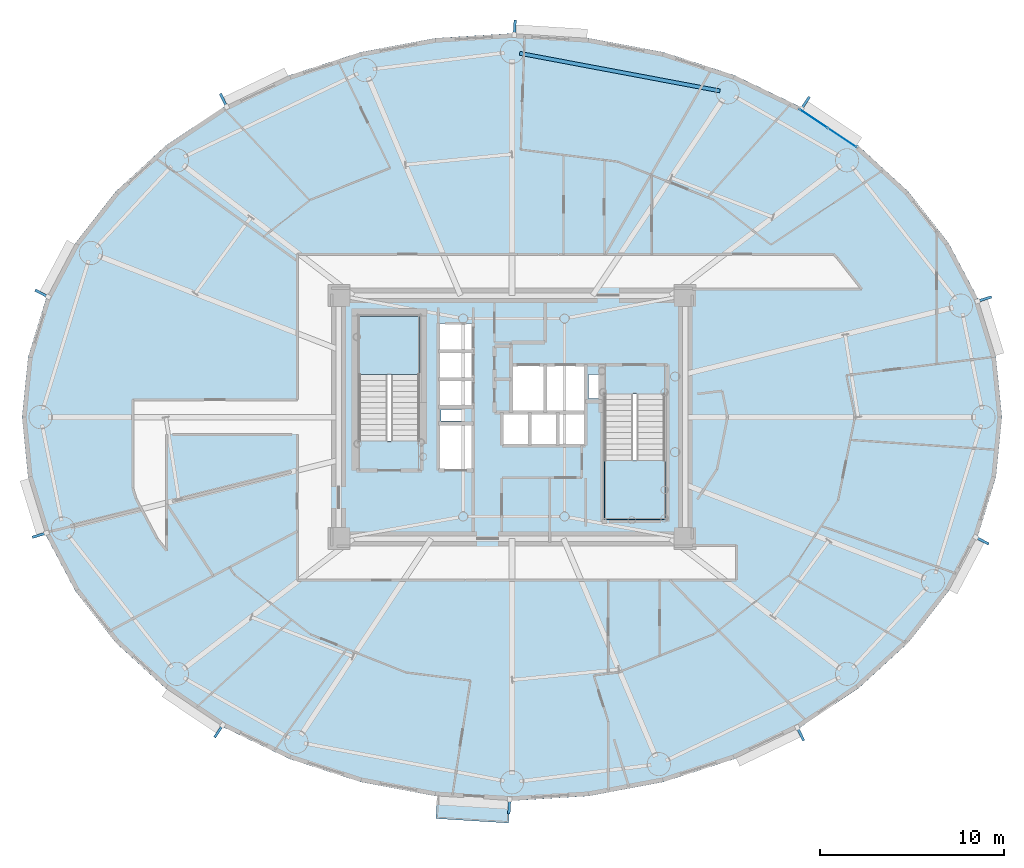
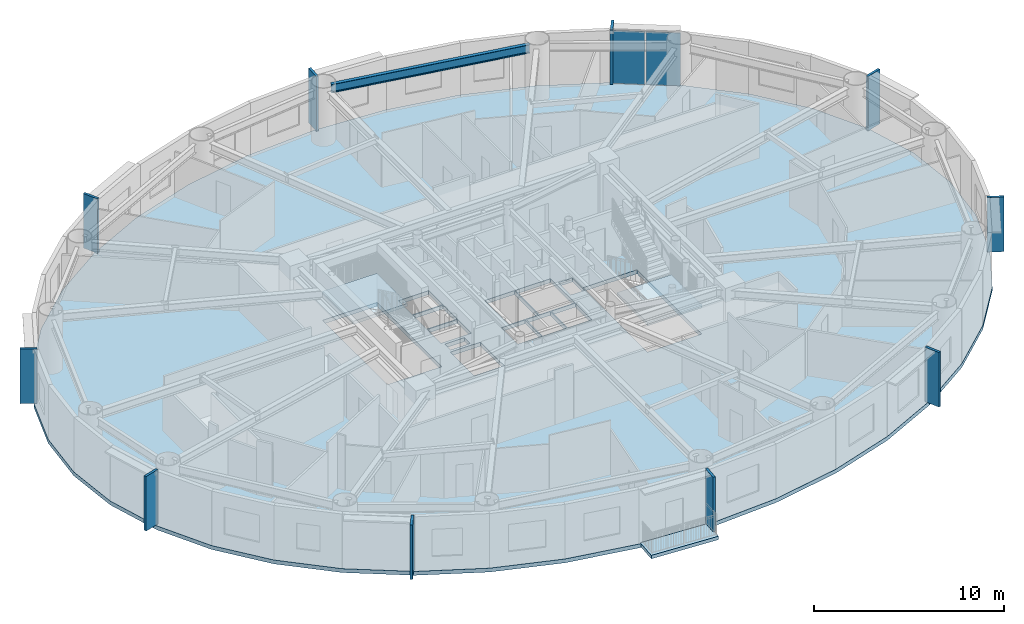
# One storey, part 5 of 19: 12 plates, 4 slabs, 1 beam, 3 elements without a shape of their own.
"""IFC4 building model written with IfcOpenShell, lengths in metres."""

from ifc_helpers import new_model, si_unit, direction, frame, origin, origin_2d, place, context, subcontext, project, spatial, polyline, rectangle, i_section, outline, extrude, source, transform, mapped, material, layer, layer_set, material_profile, profile_set, type_object, element, aggregate, save


model = new_model("IFC4")

# Units and contexts
model_context = context("Model", 3, precision=1e-05, world=origin(), true_north=direction((0.0, 1.0)))
body_context = subcontext(model_context, "Body", "Model", "MODEL_VIEW")
ifc_project = project(units=[si_unit("LENGTHUNIT", "METRE"), si_unit("AREAUNIT", "SQUARE_METRE"), si_unit("VOLUMEUNIT", "CUBIC_METRE"), si_unit("PLANEANGLEUNIT", "RADIAN"), si_unit("MASSUNIT", "GRAM", prefix="KILO")], contexts=[model_context])

# Site, building, storey
site_placement = place(None, origin())
site = spatial("IfcSite", under=ifc_project, at=site_placement, CompositionType="ELEMENT")
building_placement = place(site_placement, origin())
building = spatial("IfcBuilding", under=site, at=building_placement, Name="Linh Dai School and Residence Tower", CompositionType="ELEMENT")
storey_placement = place(building_placement, frame((0.0, 0.0, 193.64990234375)))
storey = spatial("IfcBuildingStorey", under=building, at=storey_placement, Name="L47", CompositionType="ELEMENT", Elevation=193.64990234375)

# Beam
ifc_material_1 = material(Name="Structural Steel S355JR", Category="steel")
ifc_material_profile = material_profile(ifc_material_1, i_section(OverallWidth=0.2099609375, OverallDepth=0.550048828125, WebThickness=0.010986328125, FlangeThickness=0.01708984375, FilletRadius=0.02392578125, at=origin_2d()), Name="IPE 550")
ifc_profile_set = profile_set([ifc_material_profile], Name="Structural Steel S355JR")
beam_type = type_object("IfcBeamType", Name="BM-RB55", PredefinedType="BEAM", material=ifc_profile_set)
beam_placement = place(storey_placement, frame((47.292724609375, 44.70849609375, 3.22509765625), z_axis=(-0.98280721278, 0.184634727255, 0.0), x_axis=(-0.184634727255, -0.98280721278, 0.0)))
element("IfcBeam", 1, at=beam_placement, inside=storey, type_object=beam_type, Name="L47 Perimeter Elliptical Ring Beam 04", PredefinedType="BEAM", context=body_context, shape_type="SweptSolid", body=[
    extrude(i_section(OverallWidth=0.2099609375, OverallDepth=0.550048828125, WebThickness=0.010986328125, FlangeThickness=0.01708984375, FilletRadius=0.02392578125, at=origin_2d()), origin(), (0.0, 0.0, 1.0), 11.0703125),
])

# Slabs
ifc_material_2 = material(Name="Concrete B45 (C35/45)", Category="concrete")
ifc_layer_1 = layer(ifc_material_2, 0.219970703125)
ifc_layer_set_1 = layer_set([ifc_layer_1], Name="Concrete B45 (C35/45)")
slab_type_1 = type_object("IfcSlabType", Name="SLB-BALC-220", PredefinedType="FLOOR", material=ifc_layer_set_1)
slab_1_placement = place(storey_placement, frame((0.0, 0.0, -0.219970703125)))
element("IfcSlab", 2, at=slab_1_placement, inside=storey, type_object=slab_type_1, Name="L47 Sliding Balcony Slab 30", PredefinedType="FLOOR", context=body_context, shape_type="SweptSolid", body=[
    extrude(outline(polyline([(35.8974609375, 6.25634765625), (31.951171875, 6.49951171875), (31.871337890625, 5.201904296875), (35.8173828125, 4.958740234375), (35.8974609375, 6.25634765625)])), origin(), (0.0, 0.0, 1.0), 0.219970703125),
])
ifc_layer_2 = layer(ifc_material_2, 0.25)
ifc_layer_set_2 = layer_set([ifc_layer_2], Name="Concrete B45 (C35/45)")
slab_type_2 = type_object("IfcSlabType", Name="SLB-FLR250", PredefinedType="FLOOR", material=ifc_layer_set_2)
slab_2_placement = place(storey_placement, frame((0.0, 0.0, -0.25)))
element("IfcSlab", 3, at=slab_2_placement, inside=storey, type_object=slab_type_2, Name="L47 Composite Structural Floor Slab", PredefinedType="FLOOR", context=body_context, shape_type="SweptSolid", body=[
    extrude(outline(polyline([(62.60009765625, 27.0), (62.2724609375, 30.258544921875), (61.298095703125, 33.436767578125), (59.70068359375, 36.45654296875), (57.519775390625, 39.24365234375), (54.80908203125, 41.72900390625), (51.635009765625, 43.851806640625), (48.076171875, 45.5595703125), (44.219970703125, 46.810546875), (40.1611328125, 47.573486328125), (36.0, 47.830078125), (31.8388671875, 47.573486328125), (27.780029296875, 46.810546875), (23.923828125, 45.5595703125), (20.364990234375, 43.851806640625), (17.19091796875, 41.72900390625), (14.480224609375, 39.24365234375), (12.29931640625, 36.45654296875), (10.701904296875, 33.436767578125), (9.7275390625, 30.258544921875), (9.39990234375, 27.0), (9.7275390625, 23.741455078125), (10.701904296875, 20.563232421875), (12.29931640625, 17.54345703125), (14.480224609375, 14.75634765625), (17.19091796875, 12.27099609375), (20.364990234375, 10.148193359375), (23.923828125, 8.4404296875), (27.780029296875, 7.189453125), (31.8388671875, 6.426513671875), (36.0, 6.169921875), (40.1611328125, 6.426513671875), (44.219970703125, 7.189453125), (48.076171875, 8.4404296875), (51.635009765625, 10.148193359375), (54.80908203125, 12.27099609375), (57.519775390625, 14.75634765625), (59.70068359375, 17.54345703125), (61.298095703125, 20.563232421875), (62.2724609375, 23.741455078125), (62.60009765625, 27.0)]), holes=[polyline([(30.97998046875, 25.699951171875), (30.97998046875, 32.5), (27.679931640625, 32.5), (27.679931640625, 25.699951171875), (30.97998046875, 25.699951171875)]), polyline([(41.02001953125, 28.25), (41.02001953125, 21.449951171875), (44.320068359375, 21.449951171875), (44.320068359375, 28.25), (41.02001953125, 28.25)]), polyline([(35.97998046875, 27.280029296875), (37.77001953125, 27.280029296875), (37.77001953125, 29.820068359375), (35.97998046875, 29.820068359375), (35.97998046875, 27.280029296875)]), polyline([(32.030029296875, 24.1298828125), (33.8701171875, 24.1298828125), (33.8701171875, 26.6201171875), (32.030029296875, 26.6201171875), (32.030029296875, 24.1298828125)]), polyline([(37.830078125, 27.280029296875), (39.969970703125, 27.280029296875), (39.969970703125, 29.820068359375), (37.830078125, 29.820068359375), (37.830078125, 27.280029296875)]), polyline([(32.030029296875, 27.580078125), (33.8701171875, 27.580078125), (33.8701171875, 29.030029296875), (32.030029296875, 29.030029296875), (32.030029296875, 27.580078125)]), polyline([(32.030029296875, 29.090087890625), (33.8701171875, 29.090087890625), (33.8701171875, 30.550048828125), (32.030029296875, 30.550048828125), (32.030029296875, 29.090087890625)]), polyline([(32.030029296875, 30.610107421875), (33.8701171875, 30.610107421875), (33.8701171875, 32.070068359375), (32.030029296875, 32.070068359375), (32.030029296875, 30.610107421875)]), polyline([(35.47998046875, 25.47998046875), (36.929931640625, 25.47998046875), (36.929931640625, 27.219970703125), (35.47998046875, 27.219970703125), (35.47998046875, 25.47998046875)]), polyline([(36.989990234375, 25.47998046875), (38.449951171875, 25.47998046875), (38.449951171875, 27.219970703125), (36.989990234375, 27.219970703125), (36.989990234375, 25.47998046875)]), polyline([(38.510009765625, 25.47998046875), (39.969970703125, 25.47998046875), (39.969970703125, 27.219970703125), (38.510009765625, 27.219970703125), (38.510009765625, 25.47998046875)]), polyline([(40.14990234375, 28.0), (40.14990234375, 29.300048828125), (41.0, 29.300048828125), (41.0, 28.280029296875), (40.989990234375, 28.280029296875), (40.989990234375, 28.0), (40.14990234375, 28.0)]), polyline([(32.14990234375, 26.800048828125), (33.35009765625, 26.800048828125), (33.35009765625, 27.39990234375), (32.14990234375, 27.39990234375), (32.14990234375, 26.800048828125)])]), origin(), (0.0, 0.0, 1.0), 0.25),
])

# Stair, slab
stair_type = type_object("IfcStairType", Name="ST-DOG-1550-R1442", PredefinedType="HALF_TURN_STAIR", material=ifc_material_2)
stair_1_placement = place(storey_placement, origin())
stair_1 = element("IfcStair", 4, at=stair_1_placement, inside=storey, type_object=stair_type, Name="L47 Core Smokeproof Exit Stair ST1", PredefinedType="HALF_TURN_STAIR")
ifc_layer_3 = layer(ifc_material_2, 0.199951171875)
ifc_layer_set_3 = layer_set([ifc_layer_3], Name="Concrete B45 (C35/45)")
slab_type_3 = type_object("IfcSlabType", Name="SLB-ST-LANDING-200", PredefinedType="LANDING", material=ifc_layer_set_3)
slab_3_placement = place(storey_placement, frame((0.0, 0.0, 1.675048828125)))
slab_3 = element("IfcSlab", 5, at=slab_3_placement, type_object=slab_type_3, Name="ST1 landing 1", PredefinedType="LANDING", context=body_context, shape_type="SweptSolid", body=[
    extrude(outline(polyline([(30.97998046875, 29.300048828125), (30.97998046875, 32.5), (27.679931640625, 32.5), (27.679931640625, 29.300048828125), (30.97998046875, 29.300048828125)])), origin(), (0.0, 0.0, 1.0), 0.199951171875),
])
aggregate(stair_1, [slab_3])

stair_2_placement = place(storey_placement, origin())
stair_2 = element("IfcStair", 6, at=stair_2_placement, inside=storey, type_object=stair_type, Name="L47 Core Smokeproof Exit Stair ST2", PredefinedType="HALF_TURN_STAIR")
slab_4_placement = place(storey_placement, frame((0.0, 0.0, 1.675048828125)))
slab_4 = element("IfcSlab", 7, at=slab_4_placement, type_object=slab_type_3, Name="ST2 landing 1", PredefinedType="LANDING", context=body_context, shape_type="SweptSolid", body=[
    extrude(outline(polyline([(41.02001953125, 24.64990234375), (41.02001953125, 21.449951171875), (44.320068359375, 21.449951171875), (44.320068359375, 24.64990234375), (41.02001953125, 24.64990234375)])), origin(), (0.0, 0.0, 1.0), 0.199951171875),
])
aggregate(stair_2, [slab_4])

# Plates
ifc_material_3 = material(Name="Precast Concrete B45 (C35/45)", Category="concrete")
ifc_layer_4 = layer(ifc_material_3, 0.139892578125)
ifc_layer_set_4 = layer_set([ifc_layer_4], Name="Precast Concrete B45 (C35/45)")
plate_type_1 = type_object("IfcPlateType", Name="FIN-TC-900x140", PredefinedType="USERDEFINED", material=ifc_layer_set_4)
shared_shape_1 = source(origin(), body_context, "Body", "SweptSolid", [
    extrude(rectangle(XDim=0.89990234375, YDim=0.139892578125, at=origin_2d()), origin(), (0.0, 0.0, 1.0), 3.5),
])
for number, where, z_axis, x_axis, name in (
    (8, (61.60986328125, 33.394287109375, 0.0), (0.0, 0.0, 1.0), (0.956075055167, 0.293121969301, 0.0), "L47 Precast Terracotta Radial Fin 02"),
    (9, (51.90087890625, 44.017333984375, 0.0), (0.0, 0.0, 1.0), (0.555931154932, 0.831228338651, 0.0), "L47 Precast Terracotta Radial Fin 06"),
    (10, (36.14501953125, 48.10693359375, 0.0), (0.0, 0.0, 1.0), (0.061512376467, 0.99810632076, 0.0), "L47 Precast Terracotta Radial Fin 10"),
    (11, (20.357421875, 44.164794921875, 0.0), (0.0, 0.0, 1.0), (-0.432634701653, 0.901569306779, 0.0), "L47 Precast Terracotta Radial Fin 14"),
    (12, (10.510986328125, 33.686767578125, 0.0), (0.0, 0.0, 1.0), (-0.883950726378, 0.467580060884, 0.0), "L47 Precast Terracotta Radial Fin 18"),
    (13, (10.39013671875, 20.605712890625, 0.0), (0.0, 0.0, 1.0), (-0.956075055167, -0.293121969301, 0.0), "L47 Precast Terracotta Radial Fin 22"),
    (14, (20.09912109375, 9.982666015625, 0.0), (0.0, 0.0, 1.0), (-0.555931154932, -0.831228338651, 0.0), "L47 Precast Terracotta Radial Fin 26"),
    (15, (35.85498046875, 5.89306640625, 0.0), (0.0, 0.0, 1.0), (-0.061512376467, -0.99810632076, 0.0), "L47 Precast Terracotta Radial Fin 30"),
    (16, (51.642578125, 9.835205078125, 0.0), (0.0, 0.0, 1.0), (0.432634701653, -0.901569306779, 0.0), "L47 Precast Terracotta Radial Fin 34"),
    (17, (61.489013671875, 20.313232421875, 0.0), (0.0, 0.0, 1.0), (0.883950726378, -0.467580060884, 0.0), "L47 Precast Terracotta Radial Fin 38"),
):
    element("IfcPlate", number, at=place(storey_placement, frame(where, z_axis=z_axis, x_axis=x_axis)), inside=storey, type_object=plate_type_1, Name=name, ObjectType="RADIAL FIN", PredefinedType="USERDEFINED", context=body_context, shape_type="MappedRepresentation", body=[
        mapped(shared_shape_1, transform((0.0, 0.0, 0.0), x_axis=(1.0, 0.0, 0.0), y_axis=(0.0, 1.0, 0.0), z_axis=(0.0, 0.0, 1.0), scale=1.0)),
    ])

# Curtain wall, plates
ifc_material_4 = material(Name="Aluminium Anodised Curtain Wall", Category="aluminium")
ifc_layer_5 = layer(ifc_material_4, 0.14990234375)
ifc_layer_set_5 = layer_set([ifc_layer_5], Name="Aluminium Anodised Curtain Wall")
curtain_wall_type = type_object("IfcCurtainWallType", Name="CW-SYS-4", PredefinedType="USERDEFINED", material=ifc_layer_set_5)
curtain_wall_placement = place(storey_placement, origin())
curtain_wall = element("IfcCurtainWall", 18, at=curtain_wall_placement, inside=storey, type_object=curtain_wall_type, Name="L47 CW4 Curtain Wall 06", ObjectType="RIBBON CURTAIN WALL", PredefinedType="USERDEFINED")
ifc_material_5 = material(Name="Double Low-E Insulated Glazing", Category="glass")
ifc_layer_6 = layer(ifc_material_5, 0.02587890625)
ifc_layer_set_6 = layer_set([ifc_layer_6], Name="Double Low-E Insulated Glazing")
plate_type_2 = type_object("IfcPlateType", Name="CW-SYS-4-PAN", PredefinedType="CURTAIN_PANEL", material=ifc_layer_set_6)
shared_shape_2 = source(origin(), body_context, "Body", "SweptSolid", [
    extrude(rectangle(XDim=1.822021484375, YDim=0.02587890625, at=origin_2d()), origin(), (0.0, 0.0, 1.0), 3.39599609375),
])
plate_1_placement = place(storey_placement, frame((52.373779296875, 43.207763671875, 0.052001953125), z_axis=(0.0, 0.0, 1.0), x_axis=(0.831228338651, -0.555931154932, 0.0)))
plate_1 = element("IfcPlate", 19, at=plate_1_placement, type_object=plate_type_2, Name="CW4 panel 1.1", PredefinedType="CURTAIN_PANEL", context=body_context, shape_type="MappedRepresentation", body=[
    mapped(shared_shape_2, transform((0.0, 0.0, 0.0), x_axis=(1.0, 0.0, 0.0), y_axis=(0.0, 1.0, 0.0), z_axis=(0.0, 0.0, 1.0), scale=1.0)),
])
plate_2_placement = place(storey_placement, frame((53.931396484375, 42.166015625, 0.052001953125), z_axis=(0.0, 0.0, 1.0), x_axis=(0.831228338651, -0.555931154932, 0.0)))
plate_2 = element("IfcPlate", 20, at=plate_2_placement, type_object=plate_type_2, Name="CW4 panel 2.1", PredefinedType="CURTAIN_PANEL", context=body_context, shape_type="MappedRepresentation", body=[
    mapped(shared_shape_2, transform((0.0, 0.0, 0.0), x_axis=(1.0, 0.0, 0.0), y_axis=(0.0, 1.0, 0.0), z_axis=(0.0, 0.0, 1.0), scale=1.0)),
])
aggregate(curtain_wall, [plate_1, plate_2])

save(model, "model.ifc")
